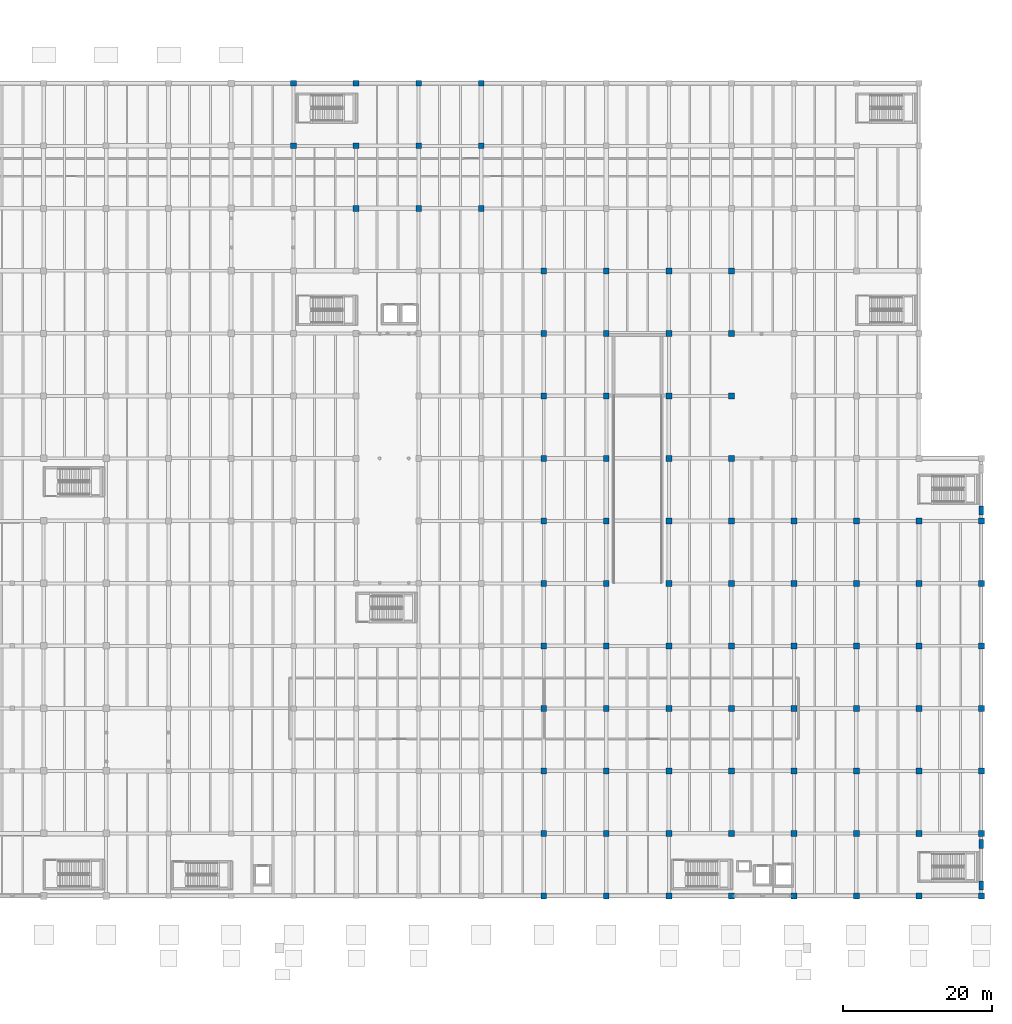
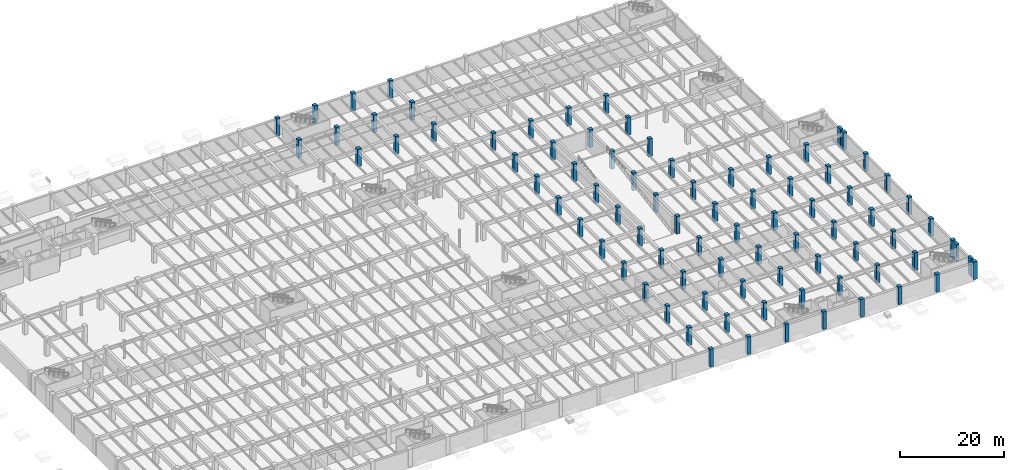
# One storey, part 12 of 63: 86 columns.
"""IFC4 building model written with IfcOpenShell, lengths in metres."""

import ifcopenshell
import ifcopenshell.guid

model = None  # the IFC model being written
_history = None  # IfcOwnerHistory: only IFC2X3 demands one
_inside = {}  # id of a spatial element -> (the spatial element, [elements in it])
_under = {}  # id of a project, library or spatial element -> (it, [spatial elements below it])
_declared = {}  # id of a project -> (the project, [libraries it declares])
_typed = {}  # id of a type object -> (the type object, [elements of that type])
_made_of = {}  # id of a material, layer set ... -> (it, [elements and type objects made of it])


def new_model(schema):
    """Start an empty IFC model of exactly this schema.

    Asked for "IFC4X3", IfcOpenShell would pick the latest addendum, in which some entities
    have other attributes; the version numbers below select the first issue.
    IFC2X3 requires an IfcOwnerHistory on every rooted entity: one is made here for all.
    """
    global model, _history
    if schema == "IFC4X3":
        model = ifcopenshell.file(schema_version=(4, 3, 0, 0))
    else:
        model = ifcopenshell.file(schema=schema)
    _inside.clear()
    _under.clear()
    _declared.clear()
    _typed.clear()
    _made_of.clear()
    _history = None
    if model.schema == "IFC2X3":
        org = make("IfcOrganization", Name="unknown")
        user = make(
            "IfcPersonAndOrganization",
            ThePerson=make("IfcPerson", FamilyName="unknown"),
            TheOrganization=org,
        )
        app = make(
            "IfcApplication",
            ApplicationDeveloper=org,
            Version="unknown",
            ApplicationFullName="unknown",
            ApplicationIdentifier="unknown",
        )
        _history = make(
            "IfcOwnerHistory",
            OwningUser=user,
            OwningApplication=app,
            ChangeAction="ADDED",
            CreationDate=0,
        )
    return model


def make(cls, **values):
    """One entity of the class cls with the attributes given. An attribute that is None is left unset."""
    return model.create_entity(
        cls, **{name: value for name, value in values.items() if value is not None}
    )


def rooted(cls, **values):
    """An entity with a GlobalId (a new one), such as an element, a storey or a relation."""
    return make(cls, GlobalId=ifcopenshell.guid.new(), OwnerHistory=_history, **values)


def si_unit(unit_type, name, prefix=None):
    """IfcSIUnit, for example si_unit("LENGTHUNIT", "METRE", prefix="MILLI")."""
    return make("IfcSIUnit", UnitType=unit_type, Prefix=prefix, Name=name)


def assignment(units):
    """IfcUnitAssignment: the units of a project."""
    return None if units is None else make("IfcUnitAssignment", Units=units)


def point(xyz):
    """IfcCartesianPoint."""
    return None if xyz is None else make("IfcCartesianPoint", Coordinates=xyz)


def direction(xyz):
    """IfcDirection."""
    return None if xyz is None else make("IfcDirection", DirectionRatios=xyz)


def frame(location, z_axis=None, x_axis=None):
    """IfcAxis2Placement3D, a coordinate frame: its origin and axes. An axis left out is left unset."""
    return make(
        "IfcAxis2Placement3D",
        Location=point(location),
        Axis=direction(z_axis),
        RefDirection=direction(x_axis),
    )


def frame_2d(location, x_axis=None):
    """IfcAxis2Placement2D, a coordinate frame in the plane: its origin and x axis."""
    return make(
        "IfcAxis2Placement2D", Location=point(location), RefDirection=direction(x_axis)
    )


def origin():
    """The frame at (0, 0, 0) with its axes left unset."""
    return frame((0.0, 0.0, 0.0))


def origin_2d():
    """The frame at (0, 0) in the plane with its x axis left unset."""
    return frame_2d((0.0, 0.0))


def place(relative_to, where):
    """IfcLocalPlacement: puts the frame where relative to a parent placement (None: the world)."""
    return make(
        "IfcLocalPlacement", PlacementRelTo=relative_to, RelativePlacement=where
    )


def context(
    kind, dimensions, precision=None, world=None, true_north=None, identifier=None
):
    """IfcGeometricRepresentationContext, for example the 3D "Model" context."""
    return make(
        "IfcGeometricRepresentationContext",
        ContextIdentifier=identifier,
        ContextType=kind,
        CoordinateSpaceDimension=dimensions,
        Precision=precision,
        WorldCoordinateSystem=world,
        TrueNorth=true_north,
    )


def subcontext(parent, identifier, kind, view, scale=None):
    """IfcGeometricRepresentationSubContext, for example "Body" below "Model"."""
    return make(
        "IfcGeometricRepresentationSubContext",
        ContextIdentifier=identifier,
        ContextType=kind,
        ParentContext=parent,
        TargetScale=scale,
        TargetView=view,
    )


def project(units=None, contexts=None):
    """IfcProject with its units and contexts."""
    return rooted(
        "IfcProject",
        Name="project",
        RepresentationContexts=contexts,
        UnitsInContext=assignment(units),
    )


def spatial(cls, under=None, at=None, **own):
    """A site, building, storey or space (cls), placed at a placement, below another one or the project."""
    s = rooted(cls, ObjectPlacement=at, **own)
    if under is not None:
        _under.setdefault(under.id(), (under, []))[1].append(s)
    return s


def profile(cls, at=None, kind="AREA", **sizes):
    """A parametric profile (cls). Its sizes go by their IFC names, for example OverallWidth=200.0."""
    return make(cls, ProfileType=kind, Position=at, **sizes)


def rectangle(**sizes):
    """IfcRectangleProfileDef."""
    return profile("IfcRectangleProfileDef", **sizes)


def extrude(swept, where, along, depth):
    """IfcExtrudedAreaSolid: the profile swept, set in the frame where, extruded along a direction by depth."""
    return make(
        "IfcExtrudedAreaSolid",
        SweptArea=swept,
        Position=where,
        ExtrudedDirection=direction(along),
        Depth=depth,
    )


def shape(context_of_items, identifier, shape_type, items):
    """IfcShapeRepresentation: the items that make up one representation, for example the "Body"."""
    return make(
        "IfcShapeRepresentation",
        ContextOfItems=context_of_items,
        RepresentationIdentifier=identifier,
        RepresentationType=shape_type,
        Items=items,
    )


def material(Name=None, Category=None):
    """IfcMaterial."""
    return make("IfcMaterial", Name=Name, Category=Category)


def material_profile(
    of_material, cross_section, Name=None, Category=None, Priority=None
):
    """IfcMaterialProfile: a cross section and its material."""
    return make(
        "IfcMaterialProfile",
        Name=Name,
        Material=of_material,
        Profile=cross_section,
        Priority=Priority,
        Category=Category,
    )


def profile_set(profiles, Name=None, composite=None):
    """IfcMaterialProfileSet."""
    return make(
        "IfcMaterialProfileSet",
        Name=Name,
        MaterialProfiles=profiles,
        CompositeProfile=composite,
    )


def made_of(thing, what):
    """Note that an element or type object is made of a material, layer set ...; save() writes the relation."""
    if what is not None:
        _made_of.setdefault(what.id(), (what, []))[1].append(thing)
    return thing


def type_object(cls, material=None, **own):
    """A type object (cls), such as IfcWallType, which elements share."""
    return made_of(rooted(cls, **own), material)


def element(
    cls,
    number,
    at=None,
    inside=None,
    cuts=None,
    type_object=None,
    material=None,
    context=None,
    identifier="Body",
    shape_type=None,
    held_by="IfcProductDefinitionShape",
    body=None,
    shapes=None,
    **own,
):
    """One element of the class cls, such as IfcWall. Its Tag is "e" and its number.

    at: its placement. inside: the storey or other place that contains it. cuts: it is an
    opening in that element (IfcRelVoidsElement). A single representation is given by context,
    identifier, shape_type and body (its items); several are given by shapes. held_by: the class
    of the entity that holds the representations. save() writes the other relations.
    """
    e = rooted(cls, Tag="e%d" % number, ObjectPlacement=at, **own)
    if body is not None:
        shapes = [shape(context, identifier, shape_type, body)]
    if shapes is not None:
        e.Representation = make(held_by, Representations=shapes)
    if inside is not None:
        _inside.setdefault(inside.id(), (inside, []))[1].append(e)
    if cuts is not None:
        rooted(
            "IfcRelVoidsElement", RelatingBuildingElement=cuts, RelatedOpeningElement=e
        )
    if type_object is not None:
        _typed.setdefault(type_object.id(), (type_object, []))[1].append(e)
    return made_of(e, material)


def aggregate(whole, parts):
    """IfcRelAggregates: a whole, such as a stair, and the parts it consists of."""
    return rooted("IfcRelAggregates", RelatingObject=whole, RelatedObjects=parts)


def save(model, path):
    """Write the relations noted so far, then the file.

    IfcRelAggregates (storeys below a building ...), IfcRelContainedInSpatialStructure (elements
    in a storey), IfcRelDefinesByType, IfcRelAssociatesMaterial and IfcRelDeclares: one each for
    every whole, place, type object, material and project.
    """
    for whole, parts in _under.values():
        aggregate(whole, parts)
    for where, things in _inside.values():
        rooted(
            "IfcRelContainedInSpatialStructure",
            RelatedElements=things,
            RelatingStructure=where,
        )
    for kind, things in _typed.values():
        rooted("IfcRelDefinesByType", RelatedObjects=things, RelatingType=kind)
    for what, things in _made_of.values():
        rooted("IfcRelAssociatesMaterial", RelatedObjects=things, RelatingMaterial=what)
    for by, libraries in _declared.values():
        rooted("IfcRelDeclares", RelatingContext=by, RelatedDefinitions=libraries)
    model.write(path)


model = new_model("IFC4")

# Units and contexts
model_context = context("Model", 3, precision=1e-05, world=origin(), true_north=direction((0.0, 1.0)))
body_context = subcontext(model_context, "Body", "Model", "MODEL_VIEW")
ifc_project = project(units=[si_unit("LENGTHUNIT", "METRE"), si_unit("AREAUNIT", "SQUARE_METRE"), si_unit("VOLUMEUNIT", "CUBIC_METRE"), si_unit("PLANEANGLEUNIT", "RADIAN"), si_unit("MASSUNIT", "GRAM", prefix="KILO")], contexts=[model_context])

# Site, building, storey
site_placement = place(None, origin())
site = spatial("IfcSite", under=ifc_project, at=site_placement, CompositionType="ELEMENT")
building_placement = place(site_placement, origin())
building = spatial("IfcBuilding", under=site, at=building_placement, Name="Cumbredor Promenade Congress Hotel", CompositionType="ELEMENT")
storey_placement = place(building_placement, frame((0.0, 0.0, -4.199951171875)))
storey = spatial("IfcBuildingStorey", under=building, at=storey_placement, Name="B01", CompositionType="ELEMENT", Elevation=-4.199951171875)

# Columns
ifc_material = material(Name="Concrete C50/60", Category="concrete")
ifc_material_profile_1 = material_profile(ifc_material, rectangle(XDim=0.800048828125, YDim=0.800048828125, at=origin_2d()), Name="RC 800x800")
ifc_profile_set_1 = profile_set([ifc_material_profile_1], Name="Concrete C50/60")
column_type_1 = type_object("IfcColumnType", Name="COL-RC-800", PredefinedType="COLUMN", material=ifc_profile_set_1)
for number, where, z_axis, x_axis, name in (
    (1, (92.39990234375, 109.199951171875, 0.0), (0.0, 0.0, 1.0), (1.0, 0.0, 0.0), "B01 Structural Column 154"),
    (2, (92.39990234375, 117.60009765625, 0.0), (0.0, 0.0, 1.0), (1.0, 0.0, 0.0), "B01 Structural Column 155"),
    (3, (100.800048828125, 100.800048828125, 0.0), (0.0, 0.0, 1.0), (1.0, 0.0, 0.0), "B01 Structural Column 167"),
    (4, (100.800048828125, 109.199951171875, 0.0), (0.0, 0.0, 1.0), (1.0, 0.0, 0.0), "B01 Structural Column 168"),
    (5, (100.800048828125, 117.60009765625, 0.0), (0.0, 0.0, 1.0), (1.0, 0.0, 0.0), "B01 Structural Column 169"),
    (6, (109.199951171875, 100.800048828125, 0.0), (0.0, 0.0, 1.0), (1.0, 0.0, 0.0), "B01 Structural Column 181"),
    (7, (109.199951171875, 109.199951171875, 0.0), (0.0, 0.0, 1.0), (1.0, 0.0, 0.0), "B01 Structural Column 182"),
    (8, (109.199951171875, 117.60009765625, 0.0), (0.0, 0.0, 1.0), (1.0, 0.0, 0.0), "B01 Structural Column 183"),
    (9, (117.60009765625, 100.800048828125, 0.0), (0.0, 0.0, 1.0), (1.0, 0.0, 0.0), "B01 Structural Column 195"),
    (10, (117.60009765625, 109.199951171875, 0.0), (0.0, 0.0, 1.0), (1.0, 0.0, 0.0), "B01 Structural Column 196"),
    (11, (117.60009765625, 117.60009765625, 0.0), (0.0, 0.0, 1.0), (1.0, 0.0, 0.0), "B01 Structural Column 197"),
    (12, (126.0, 8.39990234375, 0.0), (0.0, 0.0, 1.0), (1.0, 0.0, 0.0), "B01 Structural Column 198"),
    (13, (126.0, 16.800048828125, 0.0), (0.0, 0.0, 1.0), (1.0, 0.0, 0.0), "B01 Structural Column 199"),
    (14, (126.0, 25.199951171875, 0.0), (0.0, 0.0, 1.0), (1.0, 0.0, 0.0), "B01 Structural Column 200"),
    (15, (126.0, 33.60009765625, 0.0), (0.0, 0.0, 1.0), (1.0, 0.0, 0.0), "B01 Structural Column 201"),
    (16, (126.0, 42.0, 0.0), (0.0, 0.0, 1.0), (1.0, 0.0, 0.0), "B01 Structural Column 202"),
    (17, (126.0, 50.39990234375, 0.0), (0.0, 0.0, 1.0), (1.0, 0.0, 0.0), "B01 Structural Column 203"),
    (18, (126.0, 58.800048828125, 0.0), (0.0, 0.0, 1.0), (1.0, 0.0, 0.0), "B01 Structural Column 204"),
    (19, (126.0, 67.199951171875, 0.0), (0.0, 0.0, 1.0), (1.0, 0.0, 0.0), "B01 Structural Column 205"),
    (20, (126.0, 75.60009765625, 0.0), (0.0, 0.0, 1.0), (1.0, 0.0, 0.0), "B01 Structural Column 206"),
    (21, (126.0, 84.0, 0.0), (0.0, 0.0, 1.0), (1.0, 0.0, 0.0), "B01 Structural Column 207"),
    (22, (126.0, 92.39990234375, 0.0), (0.0, 0.0, 1.0), (1.0, 0.0, 0.0), "B01 Structural Column 208"),
    (23, (134.39990234375, 8.39990234375, 0.0), (0.0, 0.0, 1.0), (1.0, 0.0, 0.0), "B01 Structural Column 212"),
    (24, (134.39990234375, 16.800048828125, 0.0), (0.0, 0.0, 1.0), (1.0, 0.0, 0.0), "B01 Structural Column 213"),
    (25, (134.39990234375, 25.199951171875, 0.0), (0.0, 0.0, 1.0), (1.0, 0.0, 0.0), "B01 Structural Column 214"),
    (26, (134.39990234375, 33.60009765625, 0.0), (0.0, 0.0, 1.0), (1.0, 0.0, 0.0), "B01 Structural Column 215"),
    (27, (134.39990234375, 42.0, 0.0), (0.0, 0.0, 1.0), (1.0, 0.0, 0.0), "B01 Structural Column 216"),
    (28, (134.39990234375, 50.39990234375, 0.0), (0.0, 0.0, 1.0), (1.0, 0.0, 0.0), "B01 Structural Column 217"),
    (29, (134.39990234375, 58.800048828125, 0.0), (0.0, 0.0, 1.0), (1.0, 0.0, 0.0), "B01 Structural Column 218"),
    (30, (134.39990234375, 67.199951171875, 0.0), (0.0, 0.0, 1.0), (1.0, 0.0, 0.0), "B01 Structural Column 219"),
    (31, (134.39990234375, 75.60009765625, 0.0), (0.0, 0.0, 1.0), (1.0, 0.0, 0.0), "B01 Structural Column 220"),
    (32, (134.39990234375, 84.0, 0.0), (0.0, 0.0, 1.0), (1.0, 0.0, 0.0), "B01 Structural Column 221"),
    (33, (134.39990234375, 92.39990234375, 0.0), (0.0, 0.0, 1.0), (1.0, 0.0, 0.0), "B01 Structural Column 222"),
    (34, (142.800048828125, 8.39990234375, 0.0), (0.0, 0.0, 1.0), (1.0, 0.0, 0.0), "B01 Structural Column 226"),
    (35, (142.800048828125, 16.800048828125, 0.0), (0.0, 0.0, 1.0), (1.0, 0.0, 0.0), "B01 Structural Column 227"),
    (36, (142.800048828125, 25.199951171875, 0.0), (0.0, 0.0, 1.0), (1.0, 0.0, 0.0), "B01 Structural Column 228"),
    (37, (142.800048828125, 33.60009765625, 0.0), (0.0, 0.0, 1.0), (1.0, 0.0, 0.0), "B01 Structural Column 229"),
    (38, (142.800048828125, 42.0, 0.0), (0.0, 0.0, 1.0), (1.0, 0.0, 0.0), "B01 Structural Column 230"),
    (39, (142.800048828125, 50.39990234375, 0.0), (0.0, 0.0, 1.0), (1.0, 0.0, 0.0), "B01 Structural Column 231"),
    (40, (142.800048828125, 58.800048828125, 0.0), (0.0, 0.0, 1.0), (1.0, 0.0, 0.0), "B01 Structural Column 232"),
    (41, (142.800048828125, 67.199951171875, 0.0), (0.0, 0.0, 1.0), (1.0, 0.0, 0.0), "B01 Structural Column 233"),
    (42, (142.800048828125, 75.60009765625, 0.0), (0.0, 0.0, 1.0), (1.0, 0.0, 0.0), "B01 Structural Column 234"),
    (43, (142.800048828125, 84.0, 0.0), (0.0, 0.0, 1.0), (1.0, 0.0, 0.0), "B01 Structural Column 235"),
    (44, (142.800048828125, 92.39990234375, 0.0), (0.0, 0.0, 1.0), (1.0, 0.0, 0.0), "B01 Structural Column 236"),
    (45, (151.199951171875, 8.39990234375, 0.0), (0.0, 0.0, 1.0), (1.0, 0.0, 0.0), "B01 Structural Column 240"),
    (46, (151.199951171875, 16.800048828125, 0.0), (0.0, 0.0, 1.0), (1.0, 0.0, 0.0), "B01 Structural Column 241"),
    (47, (151.199951171875, 25.199951171875, 0.0), (0.0, 0.0, 1.0), (1.0, 0.0, 0.0), "B01 Structural Column 242"),
    (48, (151.199951171875, 33.60009765625, 0.0), (0.0, 0.0, 1.0), (1.0, 0.0, 0.0), "B01 Structural Column 243"),
    (49, (151.199951171875, 42.0, 0.0), (0.0, 0.0, 1.0), (1.0, 0.0, 0.0), "B01 Structural Column 244"),
    (50, (151.199951171875, 50.39990234375, 0.0), (0.0, 0.0, 1.0), (1.0, 0.0, 0.0), "B01 Structural Column 245"),
    (51, (151.199951171875, 58.800048828125, 0.0), (0.0, 0.0, 1.0), (1.0, 0.0, 0.0), "B01 Structural Column 246"),
    (52, (151.199951171875, 67.199951171875, 0.0), (0.0, 0.0, 1.0), (1.0, 0.0, 0.0), "B01 Structural Column 247"),
    (53, (151.199951171875, 75.60009765625, 0.0), (0.0, 0.0, 1.0), (1.0, 0.0, 0.0), "B01 Structural Column 248"),
    (54, (151.199951171875, 84.0, 0.0), (0.0, 0.0, 1.0), (1.0, 0.0, 0.0), "B01 Structural Column 249"),
    (55, (151.199951171875, 92.39990234375, 0.0), (0.0, 0.0, 1.0), (1.0, 0.0, 0.0), "B01 Structural Column 250"),
    (56, (159.60009765625, 8.39990234375, 0.0), (0.0, 0.0, 1.0), (1.0, 0.0, 0.0), "B01 Structural Column 254"),
    (57, (159.60009765625, 16.800048828125, 0.0), (0.0, 0.0, 1.0), (1.0, 0.0, 0.0), "B01 Structural Column 255"),
    (58, (159.60009765625, 25.199951171875, 0.0), (0.0, 0.0, 1.0), (1.0, 0.0, 0.0), "B01 Structural Column 256"),
    (59, (159.60009765625, 33.60009765625, 0.0), (0.0, 0.0, 1.0), (1.0, 0.0, 0.0), "B01 Structural Column 257"),
    (60, (159.60009765625, 42.0, 0.0), (0.0, 0.0, 1.0), (1.0, 0.0, 0.0), "B01 Structural Column 258"),
    (61, (159.60009765625, 50.39990234375, 0.0), (0.0, 0.0, 1.0), (1.0, 0.0, 0.0), "B01 Structural Column 259"),
    (62, (159.60009765625, 58.800048828125, 0.0), (0.0, 0.0, 1.0), (1.0, 0.0, 0.0), "B01 Structural Column 260"),
    (63, (168.0, 8.39990234375, 0.0), (0.0, 0.0, 1.0), (1.0, 0.0, 0.0), "B01 Structural Column 268"),
    (64, (168.0, 16.800048828125, 0.0), (0.0, 0.0, 1.0), (1.0, 0.0, 0.0), "B01 Structural Column 269"),
    (65, (168.0, 25.199951171875, 0.0), (0.0, 0.0, 1.0), (1.0, 0.0, 0.0), "B01 Structural Column 270"),
    (66, (168.0, 33.60009765625, 0.0), (0.0, 0.0, 1.0), (1.0, 0.0, 0.0), "B01 Structural Column 271"),
    (67, (168.0, 42.0, 0.0), (0.0, 0.0, 1.0), (1.0, 0.0, 0.0), "B01 Structural Column 272"),
    (68, (168.0, 50.39990234375, 0.0), (0.0, 0.0, 1.0), (1.0, 0.0, 0.0), "B01 Structural Column 273"),
    (69, (168.0, 58.800048828125, 0.0), (0.0, 0.0, 1.0), (1.0, 0.0, 0.0), "B01 Structural Column 274"),
    (70, (176.39990234375, 8.39990234375, 0.0), (0.0, 0.0, 1.0), (1.0, 0.0, 0.0), "B01 Structural Column 282"),
    (71, (176.39990234375, 16.800048828125, 0.0), (0.0, 0.0, 1.0), (1.0, 0.0, 0.0), "B01 Structural Column 283"),
    (72, (176.39990234375, 25.199951171875, 0.0), (0.0, 0.0, 1.0), (1.0, 0.0, 0.0), "B01 Structural Column 284"),
    (73, (176.39990234375, 33.60009765625, 0.0), (0.0, 0.0, 1.0), (1.0, 0.0, 0.0), "B01 Structural Column 285"),
    (74, (176.39990234375, 42.0, 0.0), (0.0, 0.0, 1.0), (1.0, 0.0, 0.0), "B01 Structural Column 286"),
    (75, (176.39990234375, 50.39990234375, 0.0), (0.0, 0.0, 1.0), (1.0, 0.0, 0.0), "B01 Structural Column 287"),
    (76, (176.39990234375, 58.800048828125, 0.0), (0.0, 0.0, 1.0), (1.0, 0.0, 0.0), "B01 Structural Column 288"),
    (77, (184.800048828125, 8.39990234375, 0.0), (0.0, 0.0, 1.0), (1.0, 0.0, 0.0), "B01 Structural Column 296"),
    (78, (184.800048828125, 16.800048828125, 0.0), (0.0, 0.0, 1.0), (1.0, 0.0, 0.0), "B01 Structural Column 297"),
    (79, (184.800048828125, 25.199951171875, 0.0), (0.0, 0.0, 1.0), (1.0, 0.0, 0.0), "B01 Structural Column 298"),
    (80, (184.800048828125, 33.60009765625, 0.0), (0.0, 0.0, 1.0), (1.0, 0.0, 0.0), "B01 Structural Column 299"),
    (81, (184.800048828125, 42.0, 0.0), (0.0, 0.0, 1.0), (1.0, 0.0, 0.0), "B01 Structural Column 300"),
    (82, (184.800048828125, 50.39990234375, 0.0), (0.0, 0.0, 1.0), (1.0, 0.0, 0.0), "B01 Structural Column 301"),
    (83, (184.800048828125, 58.800048828125, 0.0), (0.0, 0.0, 1.0), (1.0, 0.0, 0.0), "B01 Structural Column 302"),
):
    element("IfcColumn", number, at=place(storey_placement, frame(where, z_axis=z_axis, x_axis=x_axis)), inside=storey, type_object=column_type_1, Name=name, PredefinedType="COLUMN", context=body_context, shape_type="SweptSolid", body=[
        extrude(rectangle(XDim=0.800048828125, YDim=0.800048828125, at=origin_2d()), origin(), (0.0, 0.0, 1.0), 4.199951171875),
    ])
ifc_material_profile_2 = material_profile(ifc_material, rectangle(XDim=0.60009765625, YDim=1.199951171875, at=origin_2d()), Name="RC PILASTER 1200x600")
ifc_profile_set_2 = profile_set([ifc_material_profile_2], Name="Concrete C50/60")
column_type_2 = type_object("IfcColumnType", Name="PIL-RC-1200x600", PredefinedType="PILASTER", material=ifc_profile_set_2)
for number, where, z_axis, x_axis, name in (
    (84, (184.800048828125, 9.800048828125, 0.0), (0.0, 0.0, 1.0), (1.0, 0.0, 0.0), "B01 Acoustic Seismic Pilaster 013"),
    (85, (184.800048828125, 15.39990234375, 0.0), (0.0, 0.0, 1.0), (1.0, 0.0, 0.0), "B01 Acoustic Seismic Pilaster 014"),
    (86, (184.800048828125, 60.199951171875, 0.0), (0.0, 0.0, 1.0), (1.0, 0.0, 0.0), "B01 Acoustic Seismic Pilaster 015"),
):
    element("IfcColumn", number, at=place(storey_placement, frame(where, z_axis=z_axis, x_axis=x_axis)), inside=storey, type_object=column_type_2, Name=name, PredefinedType="PILASTER", context=body_context, shape_type="SweptSolid", body=[
        extrude(rectangle(XDim=0.60009765625, YDim=1.199951171875, at=origin_2d()), origin(), (0.0, 0.0, 1.0), 4.199951171875),
    ])

save(model, "model.ifc")
